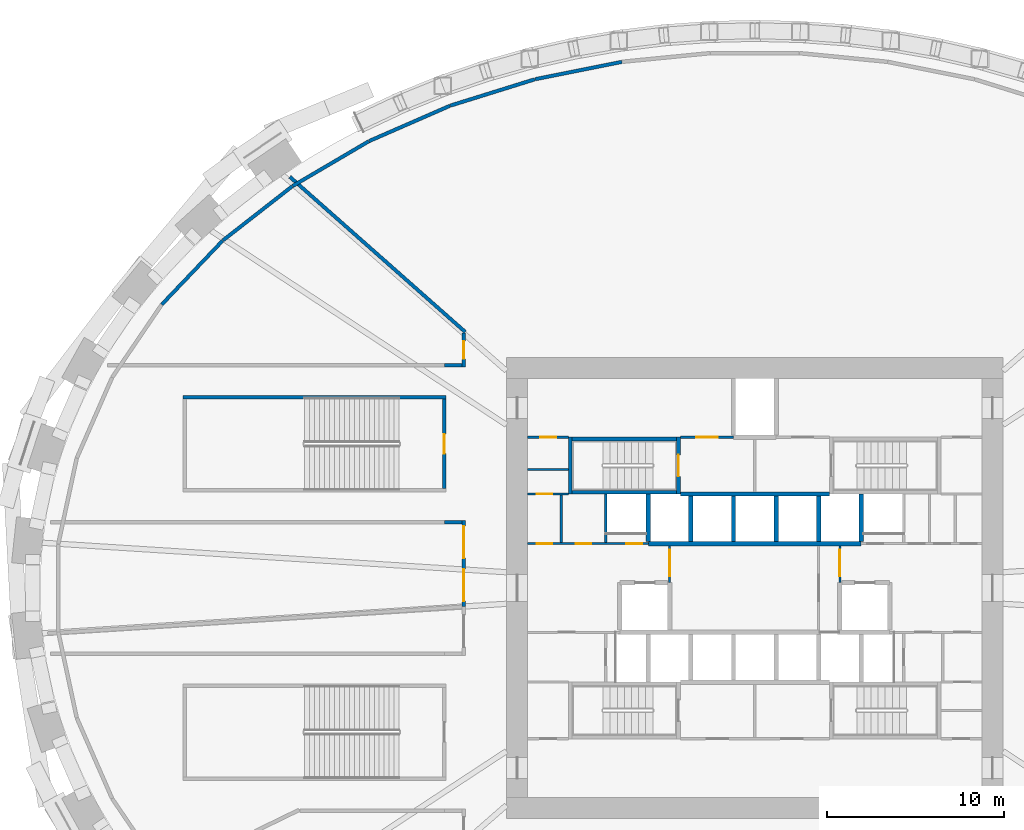
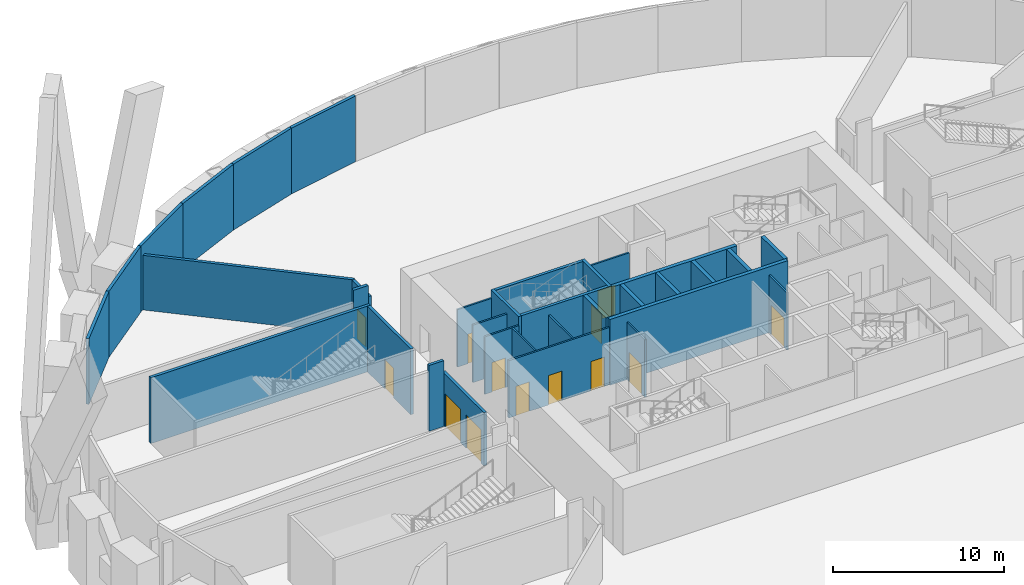
# One storey, part 9 of 16: 34 walls, 13 doors, 13 openings.
"""IFC4 building model written with IfcOpenShell, lengths in metres."""

import ifcopenshell
import ifcopenshell.guid

model = None  # the IFC model being written
_history = None  # IfcOwnerHistory: only IFC2X3 demands one
_inside = {}  # id of a spatial element -> (the spatial element, [elements in it])
_under = {}  # id of a project, library or spatial element -> (it, [spatial elements below it])
_declared = {}  # id of a project -> (the project, [libraries it declares])
_typed = {}  # id of a type object -> (the type object, [elements of that type])
_made_of = {}  # id of a material, layer set ... -> (it, [elements and type objects made of it])


def new_model(schema):
    """Start an empty IFC model of exactly this schema.

    Asked for "IFC4X3", IfcOpenShell would pick the latest addendum, in which some entities
    have other attributes; the version numbers below select the first issue.
    IFC2X3 requires an IfcOwnerHistory on every rooted entity: one is made here for all.
    """
    global model, _history
    if schema == "IFC4X3":
        model = ifcopenshell.file(schema_version=(4, 3, 0, 0))
    else:
        model = ifcopenshell.file(schema=schema)
    _inside.clear()
    _under.clear()
    _declared.clear()
    _typed.clear()
    _made_of.clear()
    _history = None
    if model.schema == "IFC2X3":
        org = make("IfcOrganization", Name="unknown")
        user = make(
            "IfcPersonAndOrganization",
            ThePerson=make("IfcPerson", FamilyName="unknown"),
            TheOrganization=org,
        )
        app = make(
            "IfcApplication",
            ApplicationDeveloper=org,
            Version="unknown",
            ApplicationFullName="unknown",
            ApplicationIdentifier="unknown",
        )
        _history = make(
            "IfcOwnerHistory",
            OwningUser=user,
            OwningApplication=app,
            ChangeAction="ADDED",
            CreationDate=0,
        )
    return model


def make(cls, **values):
    """One entity of the class cls with the attributes given. An attribute that is None is left unset."""
    return model.create_entity(
        cls, **{name: value for name, value in values.items() if value is not None}
    )


def rooted(cls, **values):
    """An entity with a GlobalId (a new one), such as an element, a storey or a relation."""
    return make(cls, GlobalId=ifcopenshell.guid.new(), OwnerHistory=_history, **values)


def si_unit(unit_type, name, prefix=None):
    """IfcSIUnit, for example si_unit("LENGTHUNIT", "METRE", prefix="MILLI")."""
    return make("IfcSIUnit", UnitType=unit_type, Prefix=prefix, Name=name)


def assignment(units):
    """IfcUnitAssignment: the units of a project."""
    return None if units is None else make("IfcUnitAssignment", Units=units)


def point(xyz):
    """IfcCartesianPoint."""
    return None if xyz is None else make("IfcCartesianPoint", Coordinates=xyz)


def direction(xyz):
    """IfcDirection."""
    return None if xyz is None else make("IfcDirection", DirectionRatios=xyz)


def frame(location, z_axis=None, x_axis=None):
    """IfcAxis2Placement3D, a coordinate frame: its origin and axes. An axis left out is left unset."""
    return make(
        "IfcAxis2Placement3D",
        Location=point(location),
        Axis=direction(z_axis),
        RefDirection=direction(x_axis),
    )


def frame_2d(location, x_axis=None):
    """IfcAxis2Placement2D, a coordinate frame in the plane: its origin and x axis."""
    return make(
        "IfcAxis2Placement2D", Location=point(location), RefDirection=direction(x_axis)
    )


def origin():
    """The frame at (0, 0, 0) with its axes left unset."""
    return frame((0.0, 0.0, 0.0))


def place(relative_to, where):
    """IfcLocalPlacement: puts the frame where relative to a parent placement (None: the world)."""
    return make(
        "IfcLocalPlacement", PlacementRelTo=relative_to, RelativePlacement=where
    )


def context(
    kind, dimensions, precision=None, world=None, true_north=None, identifier=None
):
    """IfcGeometricRepresentationContext, for example the 3D "Model" context."""
    return make(
        "IfcGeometricRepresentationContext",
        ContextIdentifier=identifier,
        ContextType=kind,
        CoordinateSpaceDimension=dimensions,
        Precision=precision,
        WorldCoordinateSystem=world,
        TrueNorth=true_north,
    )


def subcontext(parent, identifier, kind, view, scale=None):
    """IfcGeometricRepresentationSubContext, for example "Body" below "Model"."""
    return make(
        "IfcGeometricRepresentationSubContext",
        ContextIdentifier=identifier,
        ContextType=kind,
        ParentContext=parent,
        TargetScale=scale,
        TargetView=view,
    )


def project(units=None, contexts=None):
    """IfcProject with its units and contexts."""
    return rooted(
        "IfcProject",
        Name="project",
        RepresentationContexts=contexts,
        UnitsInContext=assignment(units),
    )


def spatial(cls, under=None, at=None, **own):
    """A site, building, storey or space (cls), placed at a placement, below another one or the project."""
    s = rooted(cls, ObjectPlacement=at, **own)
    if under is not None:
        _under.setdefault(under.id(), (under, []))[1].append(s)
    return s


def profile(cls, at=None, kind="AREA", **sizes):
    """A parametric profile (cls). Its sizes go by their IFC names, for example OverallWidth=200.0."""
    return make(cls, ProfileType=kind, Position=at, **sizes)


def rectangle(**sizes):
    """IfcRectangleProfileDef."""
    return profile("IfcRectangleProfileDef", **sizes)


def extrude(swept, where, along, depth):
    """IfcExtrudedAreaSolid: the profile swept, set in the frame where, extruded along a direction by depth."""
    return make(
        "IfcExtrudedAreaSolid",
        SweptArea=swept,
        Position=where,
        ExtrudedDirection=direction(along),
        Depth=depth,
    )


def shape(context_of_items, identifier, shape_type, items):
    """IfcShapeRepresentation: the items that make up one representation, for example the "Body"."""
    return make(
        "IfcShapeRepresentation",
        ContextOfItems=context_of_items,
        RepresentationIdentifier=identifier,
        RepresentationType=shape_type,
        Items=items,
    )


def source(mapping_origin, context_of_items, identifier, shape_type, items):
    """IfcRepresentationMap: a shape defined once, which mapped items show again and again."""
    return make(
        "IfcRepresentationMap",
        MappingOrigin=mapping_origin,
        MappedRepresentation=shape(context_of_items, identifier, shape_type, items),
    )


def transform(
    local_origin,
    x_axis=None,
    y_axis=None,
    z_axis=None,
    scale=None,
    scale2=None,
    scale3=None,
    uniform=True,
):
    """IfcCartesianTransformationOperator3D, or its non-uniform kind. x_axis, y_axis, z_axis: its Axis1, 2, 3."""
    if uniform:
        return make(
            "IfcCartesianTransformationOperator3D",
            Axis1=direction(x_axis),
            Axis2=direction(y_axis),
            LocalOrigin=point(local_origin),
            Scale=scale,
            Axis3=direction(z_axis),
        )
    return make(
        "IfcCartesianTransformationOperator3DnonUniform",
        Axis1=direction(x_axis),
        Axis2=direction(y_axis),
        LocalOrigin=point(local_origin),
        Scale=scale,
        Axis3=direction(z_axis),
        Scale2=scale2,
        Scale3=scale3,
    )


def mapped(mapping_source, mapping_target):
    """IfcMappedItem: shows the shape of a source again, moved by a transform."""
    return make(
        "IfcMappedItem", MappingSource=mapping_source, MappingTarget=mapping_target
    )


def material(Name=None, Category=None):
    """IfcMaterial."""
    return make("IfcMaterial", Name=Name, Category=Category)


def layer(
    of_material, thickness, ventilated=None, Name=None, Category=None, Priority=None
):
    """IfcMaterialLayer: one layer of a wall or slab, of a material (None: an air gap)."""
    return make(
        "IfcMaterialLayer",
        Material=of_material,
        LayerThickness=thickness,
        IsVentilated=ventilated,
        Name=Name,
        Category=Category,
        Priority=Priority,
    )


def layer_set(layers, Name=None):
    """IfcMaterialLayerSet."""
    return make("IfcMaterialLayerSet", MaterialLayers=layers, LayerSetName=Name)


def made_of(thing, what):
    """Note that an element or type object is made of a material, layer set ...; save() writes the relation."""
    if what is not None:
        _made_of.setdefault(what.id(), (what, []))[1].append(thing)
    return thing


def type_object(cls, material=None, **own):
    """A type object (cls), such as IfcWallType, which elements share."""
    return made_of(rooted(cls, **own), material)


def element(
    cls,
    number,
    at=None,
    inside=None,
    cuts=None,
    type_object=None,
    material=None,
    context=None,
    identifier="Body",
    shape_type=None,
    held_by="IfcProductDefinitionShape",
    body=None,
    shapes=None,
    **own,
):
    """One element of the class cls, such as IfcWall. Its Tag is "e" and its number.

    at: its placement. inside: the storey or other place that contains it. cuts: it is an
    opening in that element (IfcRelVoidsElement). A single representation is given by context,
    identifier, shape_type and body (its items); several are given by shapes. held_by: the class
    of the entity that holds the representations. save() writes the other relations.
    """
    e = rooted(cls, Tag="e%d" % number, ObjectPlacement=at, **own)
    if body is not None:
        shapes = [shape(context, identifier, shape_type, body)]
    if shapes is not None:
        e.Representation = make(held_by, Representations=shapes)
    if inside is not None:
        _inside.setdefault(inside.id(), (inside, []))[1].append(e)
    if cuts is not None:
        rooted(
            "IfcRelVoidsElement", RelatingBuildingElement=cuts, RelatedOpeningElement=e
        )
    if type_object is not None:
        _typed.setdefault(type_object.id(), (type_object, []))[1].append(e)
    return made_of(e, material)


def fill(opening, filler):
    """IfcRelFillsElement: the door or window that sits in an opening."""
    return rooted(
        "IfcRelFillsElement",
        RelatingOpeningElement=opening,
        RelatedBuildingElement=filler,
    )


def aggregate(whole, parts):
    """IfcRelAggregates: a whole, such as a stair, and the parts it consists of."""
    return rooted("IfcRelAggregates", RelatingObject=whole, RelatedObjects=parts)


def save(model, path):
    """Write the relations noted so far, then the file.

    IfcRelAggregates (storeys below a building ...), IfcRelContainedInSpatialStructure (elements
    in a storey), IfcRelDefinesByType, IfcRelAssociatesMaterial and IfcRelDeclares: one each for
    every whole, place, type object, material and project.
    """
    for whole, parts in _under.values():
        aggregate(whole, parts)
    for where, things in _inside.values():
        rooted(
            "IfcRelContainedInSpatialStructure",
            RelatedElements=things,
            RelatingStructure=where,
        )
    for kind, things in _typed.values():
        rooted("IfcRelDefinesByType", RelatedObjects=things, RelatingType=kind)
    for what, things in _made_of.values():
        rooted("IfcRelAssociatesMaterial", RelatedObjects=things, RelatingMaterial=what)
    for by, libraries in _declared.values():
        rooted("IfcRelDeclares", RelatingContext=by, RelatedDefinitions=libraries)
    model.write(path)


model = new_model("IFC4")

# Units and contexts
model_context = context("Model", 3, precision=1e-05, world=origin(), true_north=direction((0.0, 1.0)))
body_context = subcontext(model_context, "Body", "Model", "MODEL_VIEW")
ifc_project = project(units=[si_unit("LENGTHUNIT", "METRE"), si_unit("AREAUNIT", "SQUARE_METRE"), si_unit("VOLUMEUNIT", "CUBIC_METRE"), si_unit("PLANEANGLEUNIT", "RADIAN"), si_unit("MASSUNIT", "GRAM", prefix="KILO")], contexts=[model_context])

# Site, building, storey
site_placement = place(None, origin())
site = spatial("IfcSite", under=ifc_project, at=site_placement, CompositionType="ELEMENT")
building_placement = place(site_placement, origin())
building = spatial("IfcBuilding", under=site, at=building_placement, Name="Embergate Tower", CompositionType="ELEMENT")
storey_placement = place(building_placement, frame((0.0, 0.0, 24.0)))
storey = spatial("IfcBuildingStorey", under=building, at=storey_placement, Name="L02", CompositionType="ELEMENT", Elevation=24.0)

# Walls
ifc_material_1 = material(Name="Terracotta louvre cladding on insulated backing", Category="masonry")
ifc_layer_1 = layer(ifc_material_1, 0.199951171875)
ifc_layer_set_1 = layer_set([ifc_layer_1], Name="Terracotta louvre cladding on insulated backing")
wall_type_1 = type_object("IfcWallType", Name="Terracotta louvre wall", PredefinedType="SOLIDWALL", material=ifc_layer_set_1)
shared_shape_1 = source(origin(), body_context, "Body", "SweptSolid", [
    extrude(rectangle(XDim=4.961669921875, YDim=0.199951171875, at=frame_2d((2.48095703125, 0.0))), origin(), (0.0, 0.0, 1.0), 4.699951171875),
])
wall_1_placement = place(storey_placement, frame((-33.423583984375, 15.987060546875, 0.0), z_axis=(0.0, 0.0, 1.0), x_axis=(0.690103504096, 0.723710683654, 0.0)))
element("IfcWall", 1, at=wall_1_placement, inside=storey, type_object=wall_type_1, Name="Louvre wall 18", PredefinedType="SOLIDWALL", context=body_context, shape_type="MappedRepresentation", body=[
    mapped(shared_shape_1, transform((0.0, 0.0, 0.0))),
])
shared_shape_2 = source(origin(), body_context, "Body", "SweptSolid", [
    extrude(rectangle(XDim=4.96923828125, YDim=0.199951171875, at=frame_2d((2.484619140625, 0.0))), origin(), (0.0, 0.0, 1.0), 4.699951171875),
])
wall_2_placement = place(storey_placement, frame((-29.98486328125, 19.59130859375, 0.0), z_axis=(0.0, 0.0, 1.0), x_axis=(0.788332637982, 0.615249259968, 0.0)))
element("IfcWall", 2, at=wall_2_placement, inside=storey, type_object=wall_type_1, Name="Louvre wall 17", PredefinedType="SOLIDWALL", context=body_context, shape_type="MappedRepresentation", body=[
    mapped(shared_shape_2, transform((0.0, 0.0, 0.0))),
])
shared_shape_3 = source(origin(), body_context, "Body", "SweptSolid", [
    extrude(rectangle(XDim=4.975341796875, YDim=0.199951171875, at=frame_2d((2.48779296875, 0.0))), origin(), (0.0, 0.0, 1.0), 4.699951171875),
])
wall_3_placement = place(storey_placement, frame((-26.05078125, 22.659912109375, 0.0), z_axis=(0.0, 0.0, 1.0), x_axis=(0.86203133229, 0.506854991246, 0.0)))
element("IfcWall", 3, at=wall_3_placement, inside=storey, type_object=wall_type_1, Name="Louvre wall 16", PredefinedType="SOLIDWALL", context=body_context, shape_type="MappedRepresentation", body=[
    mapped(shared_shape_3, transform((0.0, 0.0, 0.0))),
])
shared_shape_4 = source(origin(), body_context, "Body", "SweptSolid", [
    extrude(rectangle(XDim=4.97998046875, YDim=0.199951171875, at=frame_2d((2.489990234375, 0.0))), origin(), (0.0, 0.0, 1.0), 4.699951171875),
])
wall_4_placement = place(storey_placement, frame((-21.744140625, 25.190673828125, 0.0), z_axis=(0.0, 0.0, 1.0), x_axis=(0.916245072647, 0.400618230801, 0.0)))
element("IfcWall", 4, at=wall_4_placement, inside=storey, type_object=wall_type_1, Name="Louvre wall 15", PredefinedType="SOLIDWALL", context=body_context, shape_type="MappedRepresentation", body=[
    mapped(shared_shape_4, transform((0.0, 0.0, 0.0))),
])
shared_shape_5 = source(origin(), body_context, "Body", "SweptSolid", [
    extrude(rectangle(XDim=4.9833984375, YDim=0.199951171875, at=frame_2d((2.49169921875, 0.0))), origin(), (0.0, 0.0, 1.0), 4.699951171875),
])
wall_5_placement = place(storey_placement, frame((-17.162353515625, 27.19287109375, 0.0), z_axis=(0.0, 0.0, 1.0), x_axis=(0.954762851693, 0.297368285175, 0.0)))
element("IfcWall", 5, at=wall_5_placement, inside=storey, type_object=wall_type_1, Name="Louvre wall 14", PredefinedType="SOLIDWALL", context=body_context, shape_type="MappedRepresentation", body=[
    mapped(shared_shape_5, transform((0.0, 0.0, 0.0))),
])
shared_shape_6 = source(origin(), body_context, "Body", "SweptSolid", [
    extrude(rectangle(XDim=4.98583984375, YDim=0.199951171875, at=frame_2d((2.492919921875, 0.0))), origin(), (0.0, 0.0, 1.0), 4.699951171875),
])
wall_6_placement = place(storey_placement, frame((-12.385009765625, 28.6796875, 0.0), z_axis=(0.0, 0.0, 1.0), x_axis=(0.980473177294, 0.196652863208, 0.0)))
element("IfcWall", 6, at=wall_6_placement, inside=storey, type_object=wall_type_1, Name="Louvre wall 13", PredefinedType="SOLIDWALL", context=body_context, shape_type="MappedRepresentation", body=[
    mapped(shared_shape_6, transform((0.0, 0.0, 0.0))),
])
ifc_material_2 = material(Name="Concrete C50", Category="concrete")
ifc_layer_2 = layer(ifc_material_2, 0.25)
ifc_layer_set_2 = layer_set([ifc_layer_2], Name="Concrete C50")
wall_type_2 = type_object("IfcWallType", Name="Hoistway wall reinforced concrete 250", PredefinedType="SHEAR", material=ifc_layer_set_2)
shared_shape_7 = source(origin(), body_context, "Body", "SweptSolid", [
    extrude(rectangle(XDim=2.675048828125, YDim=0.25, at=frame_2d((1.33740234375, 0.0))), origin(), (0.0, 0.0, 1.0), 4.699951171875),
])
for number, where, z_axis, x_axis, name in (
    (7, (-6.0, 2.625, 0.0), (0.0, 0.0, 1.0), (0.0, 1.0, 0.0), "HW-1 wall"),
    (8, (6.0, 2.625, 0.0), (0.0, 0.0, 1.0), (0.0, 1.0, 0.0), "HW-1 wall"),
):
    element("IfcWall", number, at=place(storey_placement, frame(where, z_axis=z_axis, x_axis=x_axis)), inside=storey, type_object=wall_type_2, Name=name, PredefinedType="SHEAR", context=body_context, shape_type="MappedRepresentation", body=[
        mapped(shared_shape_7, transform((0.0, 0.0, 0.0))),
    ])

# Wall, openings, doors
ifc_material_3 = material(Name="Core partition blockwork 120")
ifc_layer_3 = layer(ifc_material_3, 0.1201171875)
ifc_layer_set_3 = layer_set([ifc_layer_3], Name="Core partition blockwork 120")
wall_type_3 = type_object("IfcWallType", Name="Core partition blockwork 120", PredefinedType="PARTITIONING", material=ifc_layer_set_3)
shared_shape_8 = source(origin(), body_context, "Body", "SweptSolid", [
    extrude(rectangle(XDim=6.800048828125, YDim=0.1201171875, at=frame_2d((3.39990234375, 0.0))), origin(), (0.0, 0.0, 1.0), 4.10009765625),
])
wall_7_placement = place(storey_placement, frame((-12.800048828125, 2.5, 0.0), z_axis=(0.0, 0.0, 1.0), x_axis=(1.0, 0.0, 0.0)))
wall_7 = element("IfcWall", 9, at=wall_7_placement, inside=storey, type_object=wall_type_3, Name="IP-3 wall", PredefinedType="PARTITIONING", context=body_context, shape_type="MappedRepresentation", body=[
    mapped(shared_shape_8, transform((0.0, 0.0, 0.0))),
])
shared_shape_9 = source(origin(), body_context, "Body", "SweptSolid", [
    extrude(rectangle(XDim=0.89990234375, YDim=2.10009765625, at=frame_2d((0.449951171875, 1.050048828125))), frame((0.0, 0.070068359375, 0.0), z_axis=(0.0, -1.0, 0.0), x_axis=(1.0, 0.0, 0.0)), (0.0, 0.0, 1.0), 0.14013671875),
])
opening_1_placement = place(wall_7_placement, frame((5.550048828125, 0.0, 0.0)))
opening_1 = element("IfcOpeningElement", 10, at=opening_1_placement, cuts=wall_7, Name="Opening ID-1", PredefinedType="OPENING", context=body_context, shape_type="MappedRepresentation", body=[
    mapped(shared_shape_9, transform((0.0, 0.0, 0.0))),
])
opening_2_placement = place(wall_7_placement, frame((0.49609375, 0.0, 0.0)))
opening_2 = element("IfcOpeningElement", 11, at=opening_2_placement, cuts=wall_7, Name="Opening ID-1", PredefinedType="OPENING", context=body_context, shape_type="MappedRepresentation", body=[
    mapped(shared_shape_9, transform((0.0, 0.0, 0.0))),
])
opening_3_placement = place(wall_7_placement, frame((2.696044921875, 0.0, 0.0)))
opening_3 = element("IfcOpeningElement", 12, at=opening_3_placement, cuts=wall_7, Name="Opening ID-1", PredefinedType="OPENING", context=body_context, shape_type="MappedRepresentation", body=[
    mapped(shared_shape_9, transform((0.0, 0.0, 0.0))),
])
ifc_material_4 = material(Name="Interior door 900")
door_type_1 = type_object("IfcDoorType", Name="Interior door 900", OperationType="SINGLE_SWING_LEFT", PredefinedType="DOOR", material=ifc_material_4)
shared_shape_10 = source(origin(), body_context, "Body", "SweptSolid", [
    extrude(rectangle(XDim=0.89990234375, YDim=2.10009765625, at=frame_2d((0.449951171875, 1.050048828125))), frame((0.0, 0.02490234375, 0.0), z_axis=(0.0, -1.0, 0.0), x_axis=(1.0, 0.0, 0.0)), (0.0, 0.0, 1.0), 0.050048828125),
])
door_1_placement = place(opening_1_placement, origin())
door_1 = element("IfcDoor", 13, at=door_1_placement, inside=storey, type_object=door_type_1, Name="ID-1 door", OperationType="SINGLE_SWING_RIGHT", OverallHeight=2.10009765625, OverallWidth=0.89990234375, PredefinedType="DOOR", context=body_context, shape_type="MappedRepresentation", body=[
    mapped(shared_shape_10, transform((0.0, 0.0, 0.0))),
])
fill(opening_1, door_1)
door_2_placement = place(opening_2_placement, origin())
door_2 = element("IfcDoor", 14, at=door_2_placement, inside=storey, type_object=door_type_1, Name="ID-1 door", OperationType="SINGLE_SWING_LEFT", OverallHeight=2.10009765625, OverallWidth=0.89990234375, PredefinedType="DOOR", context=body_context, shape_type="MappedRepresentation", body=[
    mapped(shared_shape_10, transform((0.0, 0.0, 0.0))),
])
fill(opening_2, door_2)
door_3_placement = place(opening_3_placement, origin())
door_3 = element("IfcDoor", 15, at=door_3_placement, inside=storey, type_object=door_type_1, Name="ID-1 door", OperationType="SINGLE_SWING_LEFT", OverallHeight=2.10009765625, OverallWidth=0.89990234375, PredefinedType="DOOR", context=body_context, shape_type="MappedRepresentation", body=[
    mapped(shared_shape_10, transform((0.0, 0.0, 0.0))),
])
fill(opening_3, door_3)

# Walls
ifc_layer_4 = layer(ifc_material_2, 0.199951171875)
ifc_layer_set_4 = layer_set([ifc_layer_4], Name="Concrete C50")
wall_type_4 = type_object("IfcWallType", Name="Stair enclosure wall reinforced concrete 250", PredefinedType="SHEAR", material=ifc_layer_set_4)
shared_shape_11 = source(origin(), body_context, "Body", "SweptSolid", [
    extrude(rectangle(XDim=6.300048828125, YDim=0.199951171875, at=frame_2d((3.14990234375, 0.0))), origin(), (0.0, 0.0, 1.0), 4.699951171875),
])
for number, where, z_axis, x_axis, name in (
    (16, (-4.199951171875, 5.39990234375, 0.0), (0.0, 0.0, 1.0), (-1.0, 0.0, 0.0), "SE-1 wall"),
    (17, (-4.199951171875, 8.39990234375, 0.0), (0.0, 0.0, 1.0), (-1.0, 0.0, 0.0), "SE-1 wall"),
):
    element("IfcWall", number, at=place(storey_placement, frame(where, z_axis=z_axis, x_axis=x_axis)), inside=storey, type_object=wall_type_4, Name=name, PredefinedType="SHEAR", context=body_context, shape_type="MappedRepresentation", body=[
        mapped(shared_shape_11, transform((0.0, 0.0, 0.0))),
    ])
shared_shape_12 = source(origin(), body_context, "Body", "SweptSolid", [
    extrude(rectangle(XDim=2.739990234375, YDim=0.1201171875, at=frame_2d((1.3701171875, 0.0))), origin(), (0.0, 0.0, 1.0), 4.10009765625),
])
wall_8_placement = place(storey_placement, frame((-8.39990234375, 5.300048828125, 0.0), z_axis=(0.0, 0.0, 1.0), x_axis=(0.0, -1.0, 0.0)))
element("IfcWall", 18, at=wall_8_placement, inside=storey, type_object=wall_type_3, Name="IP-3 wall", PredefinedType="PARTITIONING", context=body_context, shape_type="MappedRepresentation", body=[
    mapped(shared_shape_12, transform((0.0, 0.0, 0.0))),
])
shared_shape_13 = source(origin(), body_context, "Body", "SweptSolid", [
    extrude(rectangle(XDim=2.550048828125, YDim=0.25, at=frame_2d((1.27490234375, 0.0))), origin(), (0.0, 0.0, 1.0), 4.699951171875),
])
for number, where, z_axis, x_axis, name in (
    (19, (-3.60009765625, 2.625, 0.0), (0.0, 0.0, 1.0), (0.0, 1.0, 0.0), "HW-1 wall"),
    (20, (-1.199951171875, 2.625, 0.0), (0.0, 0.0, 1.0), (0.0, 1.0, 0.0), "HW-1 wall"),
    (21, (1.199951171875, 2.625, 0.0), (0.0, 0.0, 1.0), (0.0, 1.0, 0.0), "HW-1 wall"),
    (22, (3.60009765625, 2.625, 0.0), (0.0, 0.0, 1.0), (0.0, 1.0, 0.0), "HW-1 wall"),
):
    element("IfcWall", number, at=place(storey_placement, frame(where, z_axis=z_axis, x_axis=x_axis)), inside=storey, type_object=wall_type_2, Name=name, PredefinedType="SHEAR", context=body_context, shape_type="MappedRepresentation", body=[
        mapped(shared_shape_13, transform((0.0, 0.0, 0.0))),
    ])
shared_shape_14 = source(origin(), body_context, "Body", "SweptSolid", [
    extrude(rectangle(XDim=12.0, YDim=0.25, at=frame_2d((6.0, 0.0))), origin(), (0.0, 0.0, 1.0), 4.699951171875),
])
wall_9_placement = place(storey_placement, frame((-6.0, 2.5, 0.0), z_axis=(0.0, 0.0, 1.0), x_axis=(1.0, 0.0, 0.0)))
element("IfcWall", 23, at=wall_9_placement, inside=storey, type_object=wall_type_2, Name="HW-1 wall", PredefinedType="SHEAR", context=body_context, shape_type="MappedRepresentation", body=[
    mapped(shared_shape_14, transform((0.0, 0.0, 0.0))),
])
shared_shape_15 = source(origin(), body_context, "Body", "SweptSolid", [
    extrude(rectangle(XDim=8.39990234375, YDim=0.25, at=frame_2d((4.199951171875, 0.0))), origin(), (0.0, 0.0, 1.0), 4.699951171875),
])
wall_10_placement = place(storey_placement, frame((4.199951171875, 5.300048828125, 0.0), z_axis=(0.0, 0.0, 1.0), x_axis=(-1.0, 0.0, 0.0)))
element("IfcWall", 24, at=wall_10_placement, inside=storey, type_object=wall_type_2, Name="HW-1 wall", PredefinedType="SHEAR", context=body_context, shape_type="MappedRepresentation", body=[
    mapped(shared_shape_15, transform((0.0, 0.0, 0.0))),
])

# Wall, opening, door
shared_shape_16 = source(origin(), body_context, "Body", "SweptSolid", [
    extrude(rectangle(XDim=2.074951171875, YDim=0.1201171875, at=frame_2d((1.03759765625, 0.0))), origin(), (0.0, 0.0, 1.0), 4.10009765625),
])
wall_11_placement = place(storey_placement, frame((-4.800048828125, 2.375, 0.0), z_axis=(0.0, 0.0, 1.0), x_axis=(0.0, -1.0, 0.0)))
wall_11 = element("IfcWall", 25, at=wall_11_placement, inside=storey, type_object=wall_type_3, Name="IP-3 wall", PredefinedType="PARTITIONING", context=body_context, shape_type="MappedRepresentation", body=[
    mapped(shared_shape_16, transform((0.0, 0.0, 0.0))),
])
shared_shape_17 = source(origin(), body_context, "Body", "SweptSolid", [
    extrude(rectangle(XDim=1.5, YDim=2.10009765625, at=frame_2d((0.75, 1.050048828125))), frame((0.0, 0.070068359375, 0.0), z_axis=(0.0, -1.0, 0.0), x_axis=(1.0, 0.0, 0.0)), (0.0, 0.0, 1.0), 0.14013671875),
])
opening_4_placement = place(wall_11_placement, frame((0.22509765625, 0.0, 0.0)))
opening_4 = element("IfcOpeningElement", 26, at=opening_4_placement, cuts=wall_11, Name="Opening IF-3", PredefinedType="OPENING", context=body_context, shape_type="MappedRepresentation", body=[
    mapped(shared_shape_17, transform((0.0, 0.0, 0.0))),
])
ifc_material_5 = material(Name="Lobby fire door pair 1500")
door_type_2 = type_object("IfcDoorType", Name="Lobby fire door pair 1500", OperationType="DOUBLE_DOOR_SINGLE_SWING", PredefinedType="DOOR", material=ifc_material_5)
shared_shape_18 = source(origin(), body_context, "Body", "SweptSolid", [
    extrude(rectangle(XDim=1.5, YDim=2.10009765625, at=frame_2d((0.75, 1.050048828125))), frame((0.0, 0.02490234375, 0.0), z_axis=(0.0, -1.0, 0.0), x_axis=(1.0, 0.0, 0.0)), (0.0, 0.0, 1.0), 0.050048828125),
])
door_4_placement = place(opening_4_placement, origin())
door_4 = element("IfcDoor", 27, at=door_4_placement, inside=storey, type_object=door_type_2, Name="IF-3 door", OperationType="DOUBLE_DOOR_SINGLE_SWING", OverallHeight=2.10009765625, OverallWidth=1.5, PredefinedType="DOOR", context=body_context, shape_type="MappedRepresentation", body=[
    mapped(shared_shape_18, transform((0.0, 0.0, 0.0))),
])
fill(opening_4, door_4)

wall_12_placement = place(storey_placement, frame((4.800048828125, 0.300048828125, 0.0), z_axis=(0.0, 0.0, 1.0), x_axis=(0.0, 1.0, 0.0)))
wall_12 = element("IfcWall", 28, at=wall_12_placement, inside=storey, type_object=wall_type_3, Name="IP-3 wall", PredefinedType="PARTITIONING", context=body_context, shape_type="MappedRepresentation", body=[
    mapped(shared_shape_16, transform((0.0, 0.0, 0.0))),
])
opening_5_placement = place(wall_12_placement, frame((0.35009765625, 0.0, 0.0)))
opening_5 = element("IfcOpeningElement", 29, at=opening_5_placement, cuts=wall_12, Name="Opening IF-3", PredefinedType="OPENING", context=body_context, shape_type="MappedRepresentation", body=[
    mapped(shared_shape_17, transform((0.0, 0.0, 0.0))),
])
door_5_placement = place(opening_5_placement, origin())
door_5 = element("IfcDoor", 30, at=door_5_placement, inside=storey, type_object=door_type_2, Name="IF-3 door", OperationType="DOUBLE_DOOR_SINGLE_SWING", OverallHeight=2.10009765625, OverallWidth=1.5, PredefinedType="DOOR", context=body_context, shape_type="MappedRepresentation", body=[
    mapped(shared_shape_18, transform((0.0, 0.0, 0.0))),
])
fill(opening_5, door_5)

shared_shape_19 = source(origin(), body_context, "Body", "SweptSolid", [
    extrude(rectangle(XDim=3.199951171875, YDim=0.199951171875, at=frame_2d((1.60009765625, 0.0))), origin(), (0.0, 0.0, 1.0), 4.699951171875),
])
wall_13_placement = place(storey_placement, frame((-4.300048828125, 5.300048828125, 0.0), z_axis=(0.0, 0.0, 1.0), x_axis=(0.0, 1.0, 0.0)))
wall_13 = element("IfcWall", 31, at=wall_13_placement, inside=storey, type_object=wall_type_4, Name="SE-1 wall", PredefinedType="SHEAR", context=body_context, shape_type="MappedRepresentation", body=[
    mapped(shared_shape_19, transform((0.0, 0.0, 0.0))),
])
shared_shape_20 = source(origin(), body_context, "Body", "SweptSolid", [
    extrude(rectangle(XDim=1.199951171875, YDim=2.10009765625, at=frame_2d((0.60009765625, 1.050048828125))), frame((0.0, 0.10986328125, 0.0), z_axis=(0.0, -1.0, 0.0), x_axis=(1.0, 0.0, 0.0)), (0.0, 0.0, 1.0), 0.219970703125),
])
opening_6_placement = place(wall_13_placement, frame((1.0, 0.0, 0.0)))
opening_6 = element("IfcOpeningElement", 32, at=opening_6_placement, cuts=wall_13, Name="Opening IF-2", PredefinedType="OPENING", context=body_context, shape_type="MappedRepresentation", body=[
    mapped(shared_shape_20, transform((0.0, 0.0, 0.0))),
])
ifc_material_6 = material(Name="Stair enclosure door 1200")
door_type_3 = type_object("IfcDoorType", Name="Stair enclosure door 1200", OperationType="SINGLE_SWING_LEFT", PredefinedType="DOOR", material=ifc_material_6)
shared_shape_21 = source(origin(), body_context, "Body", "SweptSolid", [
    extrude(rectangle(XDim=1.199951171875, YDim=2.10009765625, at=frame_2d((0.60009765625, 1.050048828125))), frame((0.0, 0.02490234375, 0.0), z_axis=(0.0, -1.0, 0.0), x_axis=(1.0, 0.0, 0.0)), (0.0, 0.0, 1.0), 0.050048828125),
])
door_6_placement = place(opening_6_placement, origin())
door_6 = element("IfcDoor", 33, at=door_6_placement, inside=storey, type_object=door_type_3, Name="IF-2 door", OperationType="SINGLE_SWING_RIGHT", OverallHeight=2.10009765625, OverallWidth=1.199951171875, PredefinedType="DOOR", context=body_context, shape_type="MappedRepresentation", body=[
    mapped(shared_shape_21, transform((0.0, 0.0, 0.0))),
])
fill(opening_6, door_6)

# Wall
wall_14_placement = place(storey_placement, frame((-10.39990234375, 8.5, 0.0), z_axis=(0.0, 0.0, 1.0), x_axis=(0.0, -1.0, 0.0)))
element("IfcWall", 34, at=wall_14_placement, inside=storey, type_object=wall_type_4, Name="SE-1 wall", PredefinedType="SHEAR", context=body_context, shape_type="MappedRepresentation", body=[
    mapped(shared_shape_19, transform((0.0, 0.0, 0.0))),
])

# Wall, opening, door
shared_shape_22 = source(origin(), body_context, "Body", "SweptSolid", [
    extrude(rectangle(XDim=3.0, YDim=0.1201171875, at=frame_2d((1.5, 0.0))), origin(), (0.0, 0.0, 1.0), 4.10009765625),
])
wall_15_placement = place(storey_placement, frame((-1.199951171875, 8.5, 0.0), z_axis=(0.0, 0.0, 1.0), x_axis=(-1.0, 0.0, 0.0)))
wall_15 = element("IfcWall", 35, at=wall_15_placement, inside=storey, type_object=wall_type_3, Name="IP-3 wall", PredefinedType="PARTITIONING", context=body_context, shape_type="MappedRepresentation", body=[
    mapped(shared_shape_22, transform((0.0, 0.0, 0.0))),
])
shared_shape_23 = source(origin(), body_context, "Body", "SweptSolid", [
    extrude(rectangle(XDim=1.199951171875, YDim=2.10009765625, at=frame_2d((0.60009765625, 1.050048828125))), frame((0.0, 0.070068359375, 0.0), z_axis=(0.0, -1.0, 0.0), x_axis=(1.0, 0.0, 0.0)), (0.0, 0.0, 1.0), 0.14013671875),
])
opening_7_placement = place(wall_15_placement, frame((0.89990234375, 0.0, 0.0)))
opening_7 = element("IfcOpeningElement", 36, at=opening_7_placement, cuts=wall_15, Name="Opening IF-3f", PredefinedType="OPENING", context=body_context, shape_type="MappedRepresentation", body=[
    mapped(shared_shape_23, transform((0.0, 0.0, 0.0))),
])
ifc_material_7 = material(Name="Lobby fire door pair 1200")
door_type_4 = type_object("IfcDoorType", Name="Lobby fire door pair 1200", OperationType="DOUBLE_DOOR_SINGLE_SWING", PredefinedType="DOOR", material=ifc_material_7)
door_7_placement = place(opening_7_placement, origin())
door_7 = element("IfcDoor", 37, at=door_7_placement, inside=storey, type_object=door_type_4, Name="IF-3 door", OperationType="DOUBLE_DOOR_SINGLE_SWING", OverallHeight=2.10009765625, OverallWidth=1.199951171875, PredefinedType="DOOR", context=body_context, shape_type="MappedRepresentation", body=[
    mapped(shared_shape_21, transform((0.0, 0.0, 0.0))),
])
fill(opening_7, door_7)

shared_shape_24 = source(origin(), body_context, "Body", "SweptSolid", [
    extrude(rectangle(XDim=2.300048828125, YDim=0.1201171875, at=frame_2d((1.14990234375, 0.0))), origin(), (0.0, 0.0, 1.0), 4.10009765625),
])
wall_16_placement = place(storey_placement, frame((-12.800048828125, 8.5, 0.0), z_axis=(0.0, 0.0, 1.0), x_axis=(1.0, 0.0, 0.0)))
wall_16 = element("IfcWall", 38, at=wall_16_placement, inside=storey, type_object=wall_type_3, Name="IP-3 wall", PredefinedType="PARTITIONING", context=body_context, shape_type="MappedRepresentation", body=[
    mapped(shared_shape_24, transform((0.0, 0.0, 0.0))),
])
opening_8_placement = place(wall_16_placement, frame((0.699951171875, 0.0, 0.0)))
opening_8 = element("IfcOpeningElement", 39, at=opening_8_placement, cuts=wall_16, Name="Opening ID-1", PredefinedType="OPENING", context=body_context, shape_type="MappedRepresentation", body=[
    mapped(shared_shape_9, transform((0.0, 0.0, 0.0))),
])
door_8_placement = place(opening_8_placement, origin())
door_8 = element("IfcDoor", 40, at=door_8_placement, inside=storey, type_object=door_type_1, Name="ID-1 door", OperationType="SINGLE_SWING_LEFT", OverallHeight=2.10009765625, OverallWidth=0.89990234375, PredefinedType="DOOR", context=body_context, shape_type="MappedRepresentation", body=[
    mapped(shared_shape_10, transform((0.0, 0.0, 0.0))),
])
fill(opening_8, door_8)

wall_17_placement = place(storey_placement, frame((-10.5, 5.300048828125, 0.0), z_axis=(0.0, 0.0, 1.0), x_axis=(-1.0, 0.0, 0.0)))
wall_17 = element("IfcWall", 41, at=wall_17_placement, inside=storey, type_object=wall_type_3, Name="IP-3 wall", PredefinedType="PARTITIONING", context=body_context, shape_type="MappedRepresentation", body=[
    mapped(shared_shape_24, transform((0.0, 0.0, 0.0))),
])
opening_9_placement = place(wall_17_placement, frame((0.904052734375, 0.0, 0.0)))
opening_9 = element("IfcOpeningElement", 42, at=opening_9_placement, cuts=wall_17, Name="Opening ID-1", PredefinedType="OPENING", context=body_context, shape_type="MappedRepresentation", body=[
    mapped(shared_shape_9, transform((0.0, 0.0, 0.0))),
])
door_9_placement = place(opening_9_placement, origin())
door_9 = element("IfcDoor", 43, at=door_9_placement, inside=storey, type_object=door_type_1, Name="ID-1 door", OperationType="SINGLE_SWING_LEFT", OverallHeight=2.10009765625, OverallWidth=0.89990234375, PredefinedType="DOOR", context=body_context, shape_type="MappedRepresentation", body=[
    mapped(shared_shape_10, transform((0.0, 0.0, 0.0))),
])
fill(opening_9, door_9)

# Walls
wall_18_placement = place(storey_placement, frame((-10.5, 6.676025390625, 0.0), z_axis=(0.0, 0.0, 1.0), x_axis=(-1.0, 0.0, 0.0)))
element("IfcWall", 44, at=wall_18_placement, inside=storey, type_object=wall_type_3, Name="IP-3 wall", PredefinedType="PARTITIONING", context=body_context, shape_type="MappedRepresentation", body=[
    mapped(shared_shape_24, transform((0.0, 0.0, 0.0))),
])
shared_shape_25 = source(origin(), body_context, "Body", "SweptSolid", [
    extrude(rectangle(XDim=2.679931640625, YDim=0.1201171875, at=frame_2d((1.33984375, 0.0))), origin(), (0.0, 0.0, 1.0), 4.10009765625),
])
wall_19_placement = place(storey_placement, frame((-10.907958984375, 2.56005859375, 0.0), z_axis=(0.0, 0.0, 1.0), x_axis=(0.0, 1.0, 0.0)))
element("IfcWall", 45, at=wall_19_placement, inside=storey, type_object=wall_type_3, Name="IP-3 wall", PredefinedType="PARTITIONING", context=body_context, shape_type="MappedRepresentation", body=[
    mapped(shared_shape_25, transform((0.0, 0.0, 0.0))),
])

# Wall, opening, door
ifc_material_8 = material(Name="Concrete C40", Category="concrete")
ifc_layer_5 = layer(ifc_material_8, 0.199951171875)
ifc_layer_set_5 = layer_set([ifc_layer_5], Name="Concrete C40")
wall_type_5 = type_object("IfcWallType", Name="Stair enclosure wall RC 200", PredefinedType="STANDARD", material=ifc_layer_set_5)
shared_shape_26 = source(origin(), body_context, "Body", "SweptSolid", [
    extrude(rectangle(XDim=5.0498046875, YDim=0.199951171875, at=frame_2d((2.52490234375, 0.0))), origin(), (0.0, 0.0, 1.0), 4.699951171875),
])
wall_20_placement = place(storey_placement, frame((-17.5, 5.60009765625, 0.0), z_axis=(0.0, 0.0, 1.0), x_axis=(0.0, 1.0, 0.0)))
wall_20 = element("IfcWall", 46, at=wall_20_placement, inside=storey, type_object=wall_type_5, Name="Stair wall 013", PredefinedType="STANDARD", context=body_context, shape_type="MappedRepresentation", body=[
    mapped(shared_shape_26, transform((0.0, 0.0, 0.0))),
])
shared_shape_27 = source(origin(), body_context, "Body", "SweptSolid", [
    extrude(rectangle(XDim=1.10009765625, YDim=2.10009765625, at=frame_2d((0.550048828125, 1.050048828125))), frame((0.0, 0.10986328125, 0.0), z_axis=(0.0, -1.0, 0.0), x_axis=(1.0, 0.0, 0.0)), (0.0, 0.0, 1.0), 0.219970703125),
])
opening_10_placement = place(wall_20_placement, frame((1.97509765625, 0.0, 0.0)))
opening_10 = element("IfcOpeningElement", 47, at=opening_10_placement, cuts=wall_20, Name="Opening DS-058", PredefinedType="OPENING", context=body_context, shape_type="MappedRepresentation", body=[
    mapped(shared_shape_27, transform((0.0, 0.0, 0.0))),
])
ifc_material_9 = material(Name="Steel fire door leaf", Category="steel")
door_type_5 = type_object("IfcDoorType", Name="Fire door class B 1100x2100", OperationType="SINGLE_SWING_LEFT", PredefinedType="DOOR", material=ifc_material_9)
shared_shape_28 = source(origin(), body_context, "Body", "SweptSolid", [
    extrude(rectangle(XDim=1.10009765625, YDim=2.10009765625, at=frame_2d((0.550048828125, 1.050048828125))), frame((0.0, 0.02490234375, 0.0), z_axis=(0.0, -1.0, 0.0), x_axis=(1.0, 0.0, 0.0)), (0.0, 0.0, 1.0), 0.050048828125),
])
door_10_placement = place(opening_10_placement, origin())
door_10 = element("IfcDoor", 48, at=door_10_placement, inside=storey, type_object=door_type_5, Name="Door to Exit stair enclosure", OperationType="SINGLE_SWING_LEFT", OverallHeight=2.10009765625, OverallWidth=1.10009765625, PredefinedType="DOOR", context=body_context, shape_type="MappedRepresentation", body=[
    mapped(shared_shape_28, transform((0.0, 0.0, 0.0))),
])
fill(opening_10, door_10)

# Walls
shared_shape_29 = source(origin(), body_context, "Body", "SweptSolid", [
    extrude(rectangle(XDim=14.820068359375, YDim=0.199951171875, at=frame_2d((7.41015625, 0.0))), origin(), (0.0, 0.0, 1.0), 4.699951171875),
])
wall_21_placement = place(storey_placement, frame((-17.39990234375, 10.75, 0.0), z_axis=(0.0, 0.0, 1.0), x_axis=(-1.0, 0.0, 0.0)))
element("IfcWall", 49, at=wall_21_placement, inside=storey, type_object=wall_type_5, Name="Stair wall 014", PredefinedType="STANDARD", context=body_context, shape_type="MappedRepresentation", body=[
    mapped(shared_shape_29, transform((0.0, 0.0, 0.0))),
])
ifc_material_10 = material(Name="Blockwork, plastered", Category="masonry")
ifc_layer_6 = layer(ifc_material_10, 0.199951171875)
ifc_layer_set_6 = layer_set([ifc_layer_6], Name="Blockwork, plastered")
wall_type_6 = type_object("IfcWallType", Name="Fire partition wall 200 block", PredefinedType="PARTITIONING", material=ifc_layer_set_6)
shared_shape_30 = source(origin(), body_context, "Body", "SweptSolid", [
    extrude(rectangle(XDim=13.1982421875, YDim=0.199951171875, at=frame_2d((6.59912109375, 0.0))), origin(), (0.0, 0.0, 1.0), 3.89990234375),
])
wall_22_placement = place(storey_placement, frame((-26.2119140625, 23.179931640625, 0.0), z_axis=(0.0, 0.0, 1.0), x_axis=(0.749118361103, -0.662436171308, 0.0)))
element("IfcWall", 50, at=wall_22_placement, inside=storey, type_object=wall_type_6, Name="Partition 007", PredefinedType="PARTITIONING", context=body_context, shape_type="MappedRepresentation", body=[
    mapped(shared_shape_30, transform((0.0, 0.0, 0.0))),
])
shared_shape_31 = source(origin(), body_context, "Body", "SweptSolid", [
    extrude(rectangle(XDim=1.0, YDim=0.199951171875, at=frame_2d((0.5, 0.0))), origin(), (0.0, 0.0, 1.0), 4.699951171875),
])
for number, where, z_axis, x_axis, name in (
    (51, (-17.5, 12.550048828125, 0.0), (0.0, 0.0, 1.0), (1.0, 0.0, 0.0), "Partition 016"),
    (52, (-16.5, 3.699951171875, 0.0), (0.0, 0.0, 1.0), (-1.0, 0.0, 0.0), "Partition 023"),
):
    element("IfcWall", number, at=place(storey_placement, frame(where, z_axis=z_axis, x_axis=x_axis)), inside=storey, type_object=wall_type_6, Name=name, PredefinedType="PARTITIONING", context=body_context, shape_type="MappedRepresentation", body=[
        mapped(shared_shape_31, transform((0.0, 0.0, 0.0))),
    ])

# Wall, opening, door
shared_shape_32 = source(origin(), body_context, "Body", "SweptSolid", [
    extrude(rectangle(XDim=1.923095703125, YDim=0.199951171875, at=frame_2d((0.96142578125, 0.0))), origin(), (0.0, 0.0, 1.0), 3.89990234375),
])
wall_23_placement = place(storey_placement, frame((-16.39990234375, 12.449951171875, 0.0), z_axis=(0.0, 0.0, 1.0), x_axis=(0.0, 1.0, 0.0)))
wall_23 = element("IfcWall", 53, at=wall_23_placement, inside=storey, type_object=wall_type_6, Name="Partition 024", PredefinedType="PARTITIONING", context=body_context, shape_type="MappedRepresentation", body=[
    mapped(shared_shape_32, transform((0.0, 0.0, 0.0))),
])
shared_shape_33 = source(origin(), body_context, "Body", "SweptSolid", [
    extrude(rectangle(XDim=1.0, YDim=2.10009765625, at=frame_2d((0.5, 1.050048828125))), frame((0.0, 0.10986328125, 0.0), z_axis=(0.0, -1.0, 0.0), x_axis=(1.0, 0.0, 0.0)), (0.0, 0.0, 1.0), 0.219970703125),
])
opening_11_placement = place(wall_23_placement, frame((0.4609375, 0.0, 0.0)))
opening_11 = element("IfcOpeningElement", 54, at=opening_11_placement, cuts=wall_23, Name="Opening DS-051", PredefinedType="OPENING", context=body_context, shape_type="MappedRepresentation", body=[
    mapped(shared_shape_33, transform((0.0, 0.0, 0.0))),
])
ifc_material_11 = material(Name="Timber door leaf, steel frame", Category="steel")
door_type_6 = type_object("IfcDoorType", Name="Single door 1000x2100", OperationType="SINGLE_SWING_LEFT", PredefinedType="DOOR", material=ifc_material_11)
shared_shape_34 = source(origin(), body_context, "Body", "SweptSolid", [
    extrude(rectangle(XDim=1.0, YDim=2.10009765625, at=frame_2d((0.5, 1.050048828125))), frame((0.0, 0.02490234375, 0.0), z_axis=(0.0, -1.0, 0.0), x_axis=(1.0, 0.0, 0.0)), (0.0, 0.0, 1.0), 0.050048828125),
])
door_11_placement = place(opening_11_placement, origin())
door_11 = element("IfcDoor", 55, at=door_11_placement, inside=storey, type_object=door_type_6, Name="Door to Refuge area", OperationType="SINGLE_SWING_LEFT", OverallHeight=2.10009765625, OverallWidth=1.0, PredefinedType="DOOR", context=body_context, shape_type="MappedRepresentation", body=[
    mapped(shared_shape_34, transform((0.0, 0.0, 0.0))),
])
fill(opening_11, door_11)

# Wall, openings, doors
shared_shape_35 = source(origin(), body_context, "Body", "SweptSolid", [
    extrude(rectangle(XDim=4.85595703125, YDim=0.199951171875, at=frame_2d((2.427978515625, 0.0))), origin(), (0.0, 0.0, 1.0), 3.800048828125),
])
wall_24_placement = place(storey_placement, frame((-16.39990234375, -1.055908203125, 0.0), z_axis=(0.0, 0.0, 1.0), x_axis=(0.0, 1.0, 0.0)))
wall_24 = element("IfcWall", 56, at=wall_24_placement, inside=storey, type_object=wall_type_6, Name="Partition 022", PredefinedType="PARTITIONING", context=body_context, shape_type="MappedRepresentation", body=[
    mapped(shared_shape_35, transform((0.0, 0.0, 0.0))),
])
shared_shape_36 = source(origin(), body_context, "Body", "SweptSolid", [
    extrude(rectangle(XDim=1.800048828125, YDim=2.39990234375, at=frame_2d((0.89990234375, 1.199951171875))), frame((0.0, 0.10986328125, 0.0), z_axis=(0.0, -1.0, 0.0), x_axis=(1.0, 0.0, 0.0)), (0.0, 0.0, 1.0), 0.219970703125),
])
opening_12_placement = place(wall_24_placement, frame((0.31396484375, 0.0, 0.0)))
opening_12 = element("IfcOpeningElement", 57, at=opening_12_placement, cuts=wall_24, Name="Opening DS-052", PredefinedType="OPENING", context=body_context, shape_type="MappedRepresentation", body=[
    mapped(shared_shape_36, transform((0.0, 0.0, 0.0))),
])
opening_13_placement = place(wall_24_placement, frame((2.741943359375, 0.0, 0.0)))
opening_13 = element("IfcOpeningElement", 58, at=opening_13_placement, cuts=wall_24, Name="Opening DS-053", PredefinedType="OPENING", context=body_context, shape_type="MappedRepresentation", body=[
    mapped(shared_shape_36, transform((0.0, 0.0, 0.0))),
])
door_type_7 = type_object("IfcDoorType", Name="Double door 1800x2400", OperationType="DOUBLE_DOOR_SINGLE_SWING", PredefinedType="DOOR", material=ifc_material_11)
shared_shape_37 = source(origin(), body_context, "Body", "SweptSolid", [
    extrude(rectangle(XDim=1.800048828125, YDim=2.39990234375, at=frame_2d((0.89990234375, 1.199951171875))), frame((0.0, 0.02490234375, 0.0), z_axis=(0.0, -1.0, 0.0), x_axis=(1.0, 0.0, 0.0)), (0.0, 0.0, 1.0), 0.050048828125),
])
door_12_placement = place(opening_12_placement, origin())
door_12 = element("IfcDoor", 59, at=door_12_placement, inside=storey, type_object=door_type_7, Name="Door to Refuge area", OperationType="SINGLE_SWING_LEFT", OverallHeight=2.39990234375, OverallWidth=1.800048828125, PredefinedType="DOOR", context=body_context, shape_type="MappedRepresentation", body=[
    mapped(shared_shape_37, transform((0.0, 0.0, 0.0))),
])
fill(opening_12, door_12)
door_13_placement = place(opening_13_placement, origin())
door_13 = element("IfcDoor", 60, at=door_13_placement, inside=storey, type_object=door_type_7, Name="Door to Refuge area", OperationType="SINGLE_SWING_LEFT", OverallHeight=2.39990234375, OverallWidth=1.800048828125, PredefinedType="DOOR", context=body_context, shape_type="MappedRepresentation", body=[
    mapped(shared_shape_37, transform((0.0, 0.0, 0.0))),
])
fill(opening_13, door_13)

save(model, "model.ifc")
